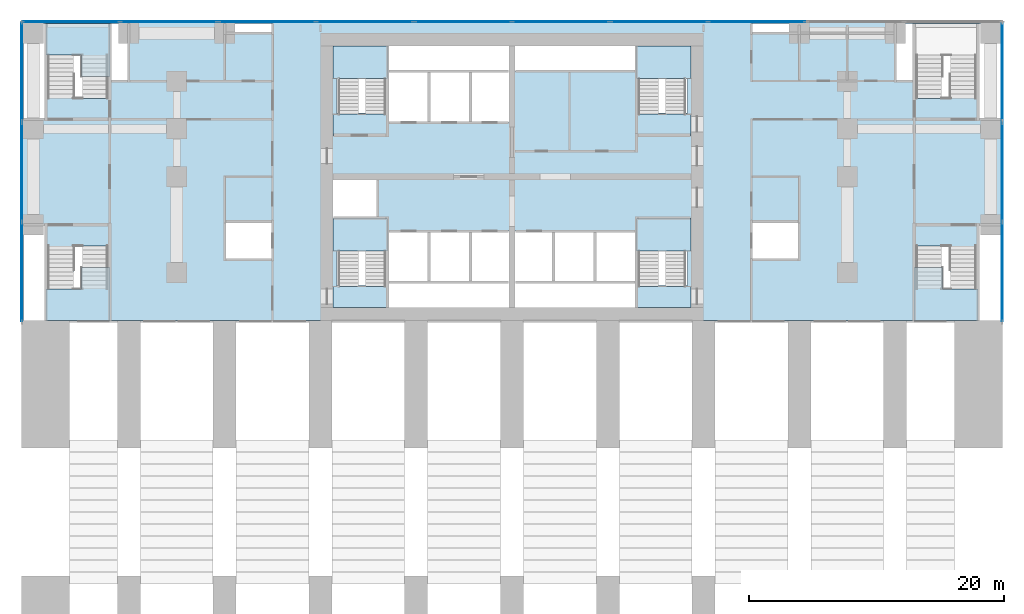
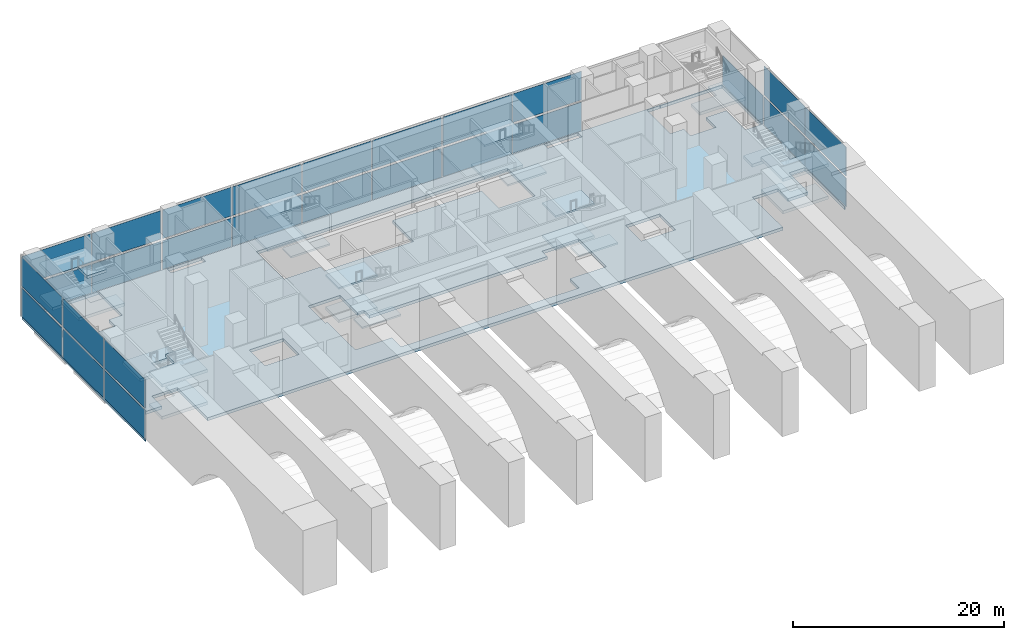
# One storey, part 4 of 15: 27 plates, 23 slabs, 23 elements without a shape of their own.
"""IFC4 building model written with IfcOpenShell, lengths in metres."""

import ifcopenshell
import ifcopenshell.guid

model = None  # the IFC model being written
_history = None  # IfcOwnerHistory: only IFC2X3 demands one
_inside = {}  # id of a spatial element -> (the spatial element, [elements in it])
_under = {}  # id of a project, library or spatial element -> (it, [spatial elements below it])
_declared = {}  # id of a project -> (the project, [libraries it declares])
_typed = {}  # id of a type object -> (the type object, [elements of that type])
_made_of = {}  # id of a material, layer set ... -> (it, [elements and type objects made of it])


def new_model(schema):
    """Start an empty IFC model of exactly this schema.

    Asked for "IFC4X3", IfcOpenShell would pick the latest addendum, in which some entities
    have other attributes; the version numbers below select the first issue.
    IFC2X3 requires an IfcOwnerHistory on every rooted entity: one is made here for all.
    """
    global model, _history
    if schema == "IFC4X3":
        model = ifcopenshell.file(schema_version=(4, 3, 0, 0))
    else:
        model = ifcopenshell.file(schema=schema)
    _inside.clear()
    _under.clear()
    _declared.clear()
    _typed.clear()
    _made_of.clear()
    _history = None
    if model.schema == "IFC2X3":
        org = make("IfcOrganization", Name="unknown")
        user = make(
            "IfcPersonAndOrganization",
            ThePerson=make("IfcPerson", FamilyName="unknown"),
            TheOrganization=org,
        )
        app = make(
            "IfcApplication",
            ApplicationDeveloper=org,
            Version="unknown",
            ApplicationFullName="unknown",
            ApplicationIdentifier="unknown",
        )
        _history = make(
            "IfcOwnerHistory",
            OwningUser=user,
            OwningApplication=app,
            ChangeAction="ADDED",
            CreationDate=0,
        )
    return model


def make(cls, **values):
    """One entity of the class cls with the attributes given. An attribute that is None is left unset."""
    return model.create_entity(
        cls, **{name: value for name, value in values.items() if value is not None}
    )


def rooted(cls, **values):
    """An entity with a GlobalId (a new one), such as an element, a storey or a relation."""
    return make(cls, GlobalId=ifcopenshell.guid.new(), OwnerHistory=_history, **values)


def si_unit(unit_type, name, prefix=None):
    """IfcSIUnit, for example si_unit("LENGTHUNIT", "METRE", prefix="MILLI")."""
    return make("IfcSIUnit", UnitType=unit_type, Prefix=prefix, Name=name)


def assignment(units):
    """IfcUnitAssignment: the units of a project."""
    return None if units is None else make("IfcUnitAssignment", Units=units)


def point(xyz):
    """IfcCartesianPoint."""
    return None if xyz is None else make("IfcCartesianPoint", Coordinates=xyz)


def direction(xyz):
    """IfcDirection."""
    return None if xyz is None else make("IfcDirection", DirectionRatios=xyz)


def frame(location, z_axis=None, x_axis=None):
    """IfcAxis2Placement3D, a coordinate frame: its origin and axes. An axis left out is left unset."""
    return make(
        "IfcAxis2Placement3D",
        Location=point(location),
        Axis=direction(z_axis),
        RefDirection=direction(x_axis),
    )


def frame_2d(location, x_axis=None):
    """IfcAxis2Placement2D, a coordinate frame in the plane: its origin and x axis."""
    return make(
        "IfcAxis2Placement2D", Location=point(location), RefDirection=direction(x_axis)
    )


def origin():
    """The frame at (0, 0, 0) with its axes left unset."""
    return frame((0.0, 0.0, 0.0))


def origin_2d():
    """The frame at (0, 0) in the plane with its x axis left unset."""
    return frame_2d((0.0, 0.0))


def place(relative_to, where):
    """IfcLocalPlacement: puts the frame where relative to a parent placement (None: the world)."""
    return make(
        "IfcLocalPlacement", PlacementRelTo=relative_to, RelativePlacement=where
    )


def context(
    kind, dimensions, precision=None, world=None, true_north=None, identifier=None
):
    """IfcGeometricRepresentationContext, for example the 3D "Model" context."""
    return make(
        "IfcGeometricRepresentationContext",
        ContextIdentifier=identifier,
        ContextType=kind,
        CoordinateSpaceDimension=dimensions,
        Precision=precision,
        WorldCoordinateSystem=world,
        TrueNorth=true_north,
    )


def subcontext(parent, identifier, kind, view, scale=None):
    """IfcGeometricRepresentationSubContext, for example "Body" below "Model"."""
    return make(
        "IfcGeometricRepresentationSubContext",
        ContextIdentifier=identifier,
        ContextType=kind,
        ParentContext=parent,
        TargetScale=scale,
        TargetView=view,
    )


def project(units=None, contexts=None):
    """IfcProject with its units and contexts."""
    return rooted(
        "IfcProject",
        Name="project",
        RepresentationContexts=contexts,
        UnitsInContext=assignment(units),
    )


def spatial(cls, under=None, at=None, **own):
    """A site, building, storey or space (cls), placed at a placement, below another one or the project."""
    s = rooted(cls, ObjectPlacement=at, **own)
    if under is not None:
        _under.setdefault(under.id(), (under, []))[1].append(s)
    return s


def polyline(points):
    """IfcPolyline through the points."""
    return make("IfcPolyline", Points=[point(p) for p in points])


def profile(cls, at=None, kind="AREA", **sizes):
    """A parametric profile (cls). Its sizes go by their IFC names, for example OverallWidth=200.0."""
    return make(cls, ProfileType=kind, Position=at, **sizes)


def rectangle(**sizes):
    """IfcRectangleProfileDef."""
    return profile("IfcRectangleProfileDef", **sizes)


def outline(outer, holes=None, kind="AREA"):
    """IfcArbitraryClosedProfileDef: a profile drawn as a closed curve; with holes, ...WithVoids."""
    if holes is None:
        return make("IfcArbitraryClosedProfileDef", ProfileType=kind, OuterCurve=outer)
    return make(
        "IfcArbitraryProfileDefWithVoids",
        ProfileType=kind,
        OuterCurve=outer,
        InnerCurves=holes,
    )


def extrude(swept, where, along, depth):
    """IfcExtrudedAreaSolid: the profile swept, set in the frame where, extruded along a direction by depth."""
    return make(
        "IfcExtrudedAreaSolid",
        SweptArea=swept,
        Position=where,
        ExtrudedDirection=direction(along),
        Depth=depth,
    )


def shape(context_of_items, identifier, shape_type, items):
    """IfcShapeRepresentation: the items that make up one representation, for example the "Body"."""
    return make(
        "IfcShapeRepresentation",
        ContextOfItems=context_of_items,
        RepresentationIdentifier=identifier,
        RepresentationType=shape_type,
        Items=items,
    )


def material(Name=None, Category=None):
    """IfcMaterial."""
    return make("IfcMaterial", Name=Name, Category=Category)


def layer(
    of_material, thickness, ventilated=None, Name=None, Category=None, Priority=None
):
    """IfcMaterialLayer: one layer of a wall or slab, of a material (None: an air gap)."""
    return make(
        "IfcMaterialLayer",
        Material=of_material,
        LayerThickness=thickness,
        IsVentilated=ventilated,
        Name=Name,
        Category=Category,
        Priority=Priority,
    )


def layer_set(layers, Name=None):
    """IfcMaterialLayerSet."""
    return make("IfcMaterialLayerSet", MaterialLayers=layers, LayerSetName=Name)


def made_of(thing, what):
    """Note that an element or type object is made of a material, layer set ...; save() writes the relation."""
    if what is not None:
        _made_of.setdefault(what.id(), (what, []))[1].append(thing)
    return thing


def type_object(cls, material=None, **own):
    """A type object (cls), such as IfcWallType, which elements share."""
    return made_of(rooted(cls, **own), material)


def element(
    cls,
    number,
    at=None,
    inside=None,
    cuts=None,
    type_object=None,
    material=None,
    context=None,
    identifier="Body",
    shape_type=None,
    held_by="IfcProductDefinitionShape",
    body=None,
    shapes=None,
    **own,
):
    """One element of the class cls, such as IfcWall. Its Tag is "e" and its number.

    at: its placement. inside: the storey or other place that contains it. cuts: it is an
    opening in that element (IfcRelVoidsElement). A single representation is given by context,
    identifier, shape_type and body (its items); several are given by shapes. held_by: the class
    of the entity that holds the representations. save() writes the other relations.
    """
    e = rooted(cls, Tag="e%d" % number, ObjectPlacement=at, **own)
    if body is not None:
        shapes = [shape(context, identifier, shape_type, body)]
    if shapes is not None:
        e.Representation = make(held_by, Representations=shapes)
    if inside is not None:
        _inside.setdefault(inside.id(), (inside, []))[1].append(e)
    if cuts is not None:
        rooted(
            "IfcRelVoidsElement", RelatingBuildingElement=cuts, RelatedOpeningElement=e
        )
    if type_object is not None:
        _typed.setdefault(type_object.id(), (type_object, []))[1].append(e)
    return made_of(e, material)


def aggregate(whole, parts):
    """IfcRelAggregates: a whole, such as a stair, and the parts it consists of."""
    return rooted("IfcRelAggregates", RelatingObject=whole, RelatedObjects=parts)


def save(model, path):
    """Write the relations noted so far, then the file.

    IfcRelAggregates (storeys below a building ...), IfcRelContainedInSpatialStructure (elements
    in a storey), IfcRelDefinesByType, IfcRelAssociatesMaterial and IfcRelDeclares: one each for
    every whole, place, type object, material and project.
    """
    for whole, parts in _under.values():
        aggregate(whole, parts)
    for where, things in _inside.values():
        rooted(
            "IfcRelContainedInSpatialStructure",
            RelatedElements=things,
            RelatingStructure=where,
        )
    for kind, things in _typed.values():
        rooted("IfcRelDefinesByType", RelatedObjects=things, RelatingType=kind)
    for what, things in _made_of.values():
        rooted("IfcRelAssociatesMaterial", RelatedObjects=things, RelatingMaterial=what)
    for by, libraries in _declared.values():
        rooted("IfcRelDeclares", RelatingContext=by, RelatedDefinitions=libraries)
    model.write(path)


model = new_model("IFC4")

# Units and contexts
model_context = context("Model", 3, precision=1e-05, world=origin(), true_north=direction((0.0, 1.0)))
body_context = subcontext(model_context, "Body", "Model", "MODEL_VIEW")
ifc_project = project(units=[si_unit("LENGTHUNIT", "METRE"), si_unit("AREAUNIT", "SQUARE_METRE"), si_unit("VOLUMEUNIT", "CUBIC_METRE"), si_unit("PLANEANGLEUNIT", "RADIAN"), si_unit("MASSUNIT", "GRAM", prefix="KILO")], contexts=[model_context])

# Site, building, storey
site_placement = place(None, origin())
site = spatial("IfcSite", under=ifc_project, at=site_placement, CompositionType="ELEMENT")
building_placement = place(site_placement, origin())
building = spatial("IfcBuilding", under=site, at=building_placement, Name="Pilkhan Gate Tower", CompositionType="ELEMENT")
storey_placement = place(building_placement, frame((0.0, 0.0, 16.5)))
storey = spatial("IfcBuildingStorey", under=building, at=storey_placement, Name="L02", CompositionType="ELEMENT", Elevation=16.5)

# Slab
ifc_material_1 = material(Name="Concrete C40/50", Category="concrete")
ifc_layer_1 = layer(ifc_material_1, 0.35009765625)
ifc_layer_set_1 = layer_set([ifc_layer_1], Name="Flat plate slab FP350")
slab_type_1 = type_object("IfcSlabType", Name="Flat plate slab FP350", PredefinedType="FLOOR", material=ifc_layer_set_1)
slab_1_placement = place(storey_placement, frame((0.0, 0.0, -0.35009765625)))
element("IfcSlab", 1, at=slab_1_placement, inside=storey, type_object=slab_type_1, Name="Floor slab L02", PredefinedType="FLOOR", context=body_context, shape_type="SweptSolid", body=[
    extrude(outline(polyline([(36.64990234375, 94.60009765625), (113.35009765625, 94.60009765625), (113.35009765625, 71.25), (113.264892578125, 71.25), (113.264892578125, 78.75), (111.5, 78.75), (111.5, 75.10009765625), (109.300048828125, 75.10009765625), (109.300048828125, 77.0), (106.5, 77.0), (106.5, 71.25), (43.5, 71.25), (43.5, 77.0), (40.699951171875, 77.0), (40.699951171875, 75.10009765625), (38.5, 75.10009765625), (38.5, 78.75), (36.735107421875, 78.75), (36.735107421875, 71.25), (36.64990234375, 71.25), (36.64990234375, 94.60009765625)]), holes=[polyline([(109.300048828125, 94.5), (106.5, 94.5), (106.5, 94.514892578125), (105.0, 94.514892578125), (105.0, 90.0), (106.5, 90.0), (106.5, 88.75), (109.300048828125, 88.75), (109.300048828125, 90.64990234375), (111.5, 90.64990234375), (111.5, 87.0), (113.264892578125, 87.0), (113.264892578125, 94.5), (111.5, 94.5), (109.300048828125, 94.5)]), polyline([(97.5, 79.0), (93.75, 79.0), (93.75, 76.0), (97.5, 76.0), (97.5, 79.0)]), polyline([(71.75, 86.75), (75.0, 86.75), (75.0, 90.75), (84.75, 90.75), (84.75, 87.5), (88.75, 87.5), (88.75, 92.75), (84.75, 92.75), (75.0, 92.75), (65.25, 92.75), (61.25, 92.75), (61.25, 87.5), (65.25, 87.5), (65.25, 86.75), (68.5, 86.75), (71.75, 86.75)]), polyline([(84.75, 72.25), (84.75, 74.0), (88.75, 74.0), (88.75, 79.25), (84.75, 79.25), (84.75, 78.25), (81.5, 78.25), (78.25, 78.25), (75.0, 78.25), (71.75, 78.25), (68.5, 78.25), (65.25, 78.25), (65.25, 79.25), (64.5, 79.25), (64.5, 82.5), (61.25, 82.5), (61.0, 82.5), (61.0, 79.25), (61.25, 79.25), (61.25, 74.0), (65.25, 74.0), (65.25, 72.25), (75.0, 72.25), (84.75, 72.25)]), polyline([(56.25, 79.0), (52.5, 79.0), (52.5, 76.0), (56.25, 76.0), (56.25, 79.0)]), polyline([(40.699951171875, 90.64990234375), (40.699951171875, 88.75), (43.5, 88.75), (43.5, 90.0), (45.0, 90.0), (45.0, 94.514892578125), (43.5, 94.514892578125), (43.5, 94.5), (40.699951171875, 94.5), (38.5, 94.5), (36.735107421875, 94.5), (36.735107421875, 87.0), (38.5, 87.0), (38.5, 90.64990234375), (40.699951171875, 90.64990234375)]), polyline([(52.5, 93.75), (56.25, 93.75), (56.25, 94.514892578125), (52.5, 94.514892578125), (52.5, 93.75)]), polyline([(93.75, 93.75), (97.5, 93.75), (97.5, 94.514892578125), (93.75, 94.514892578125), (93.75, 93.75)])]), origin(), (0.0, 0.0, 1.0), 0.35009765625),
])

# Curtain wall, plates
ifc_material_2 = material(Name="Pale anodised aluminium, clear low-iron laminated glazing", Category="aluminium")
curtain_wall_type = type_object("IfcCurtainWallType", Name="Podium unitised curtain wall CW-P", PredefinedType="USERDEFINED", material=ifc_material_2)
curtain_wall_1_placement = place(storey_placement, origin())
curtain_wall_1 = element("IfcCurtainWall", 2, at=curtain_wall_1_placement, inside=storey, type_object=curtain_wall_type, Name="Podium unitised curtain wall CW-P L02 E", ObjectType="UNITISED CURTAIN WALL", PredefinedType="USERDEFINED")
ifc_material_3 = material(Name="Clear low-iron laminated glazing", Category="glass")
ifc_layer_2 = layer(ifc_material_3, 0.048095703125)
ifc_layer_set_2 = layer_set([ifc_layer_2], Name="Glass panel CW-P 48")
plate_type = type_object("IfcPlateType", Name="Glass panel CW-P 48", PredefinedType="CURTAIN_PANEL", material=ifc_layer_set_2)
plate_1_placement = place(storey_placement, frame((113.39501953125, 75.04833984375, 0.0), z_axis=(0.0, 0.0, 1.0), x_axis=(0.0, 1.0, 0.0)))
plate_1 = element("IfcPlate", 3, at=plate_1_placement, type_object=plate_type, Name="CW-P panel 1", PredefinedType="CURTAIN_PANEL", context=body_context, shape_type="SweptSolid", body=[
    extrude(rectangle(XDim=7.7265625, YDim=0.048095703125, at=origin_2d()), origin(), (0.0, 0.0, 1.0), 3.324951171875),
])
plate_2_placement = place(storey_placement, frame((113.39501953125, 82.85498046875, 0.0), z_axis=(0.0, 0.0, 1.0), x_axis=(0.0, 1.0, 0.0)))
plate_2 = element("IfcPlate", 4, at=plate_2_placement, type_object=plate_type, Name="CW-P panel 2", PredefinedType="CURTAIN_PANEL", context=body_context, shape_type="SweptSolid", body=[
    extrude(rectangle(XDim=7.7265625, YDim=0.048095703125, at=origin_2d()), origin(), (0.0, 0.0, 1.0), 3.324951171875),
])
aggregate(curtain_wall_1, [plate_1, plate_2])

# Curtain wall, plate
curtain_wall_2_placement = place(storey_placement, origin())
curtain_wall_2 = element("IfcCurtainWall", 5, at=curtain_wall_2_placement, inside=storey, type_object=curtain_wall_type, Name="Podium unitised curtain wall CW-P L02 E", ObjectType="UNITISED CURTAIN WALL", PredefinedType="USERDEFINED")
plate_3_placement = place(storey_placement, frame((113.39501953125, 90.7216796875, 0.0), z_axis=(0.0, 0.0, 1.0), x_axis=(0.0, 1.0, 0.0)))
plate_3 = element("IfcPlate", 6, at=plate_3_placement, type_object=plate_type, Name="CW-P panel 1", PredefinedType="CURTAIN_PANEL", context=body_context, shape_type="SweptSolid", body=[
    extrude(rectangle(XDim=7.686767578125, YDim=0.048095703125, at=origin_2d()), origin(), (0.0, 0.0, 1.0), 3.324951171875),
])
aggregate(curtain_wall_2, [plate_3])

# Curtain wall, plates
curtain_wall_3_placement = place(storey_placement, origin())
curtain_wall_3 = element("IfcCurtainWall", 7, at=curtain_wall_3_placement, inside=storey, type_object=curtain_wall_type, Name="Podium unitised curtain wall CW-P L02 E", ObjectType="UNITISED CURTAIN WALL", PredefinedType="USERDEFINED")
plate_4_placement = place(storey_placement, frame((113.39501953125, 75.04833984375, 3.5751953125), z_axis=(0.0, 0.0, 1.0), x_axis=(0.0, 1.0, 0.0)))
plate_4 = element("IfcPlate", 8, at=plate_4_placement, type_object=plate_type, Name="CW-P panel 1", PredefinedType="CURTAIN_PANEL", context=body_context, shape_type="SweptSolid", body=[
    extrude(rectangle(XDim=7.7265625, YDim=0.048095703125, at=origin_2d()), origin(), (0.0, 0.0, 1.0), 3.324951171875),
])
plate_5_placement = place(storey_placement, frame((113.39501953125, 82.85498046875, 3.5751953125), z_axis=(0.0, 0.0, 1.0), x_axis=(0.0, 1.0, 0.0)))
plate_5 = element("IfcPlate", 9, at=plate_5_placement, type_object=plate_type, Name="CW-P panel 2", PredefinedType="CURTAIN_PANEL", context=body_context, shape_type="SweptSolid", body=[
    extrude(rectangle(XDim=7.7265625, YDim=0.048095703125, at=origin_2d()), origin(), (0.0, 0.0, 1.0), 3.324951171875),
])
aggregate(curtain_wall_3, [plate_4, plate_5])

curtain_wall_4_placement = place(storey_placement, origin())
curtain_wall_4 = element("IfcCurtainWall", 10, at=curtain_wall_4_placement, inside=storey, type_object=curtain_wall_type, Name="Podium unitised curtain wall CW-P L02 N", ObjectType="UNITISED CURTAIN WALL", PredefinedType="USERDEFINED")
plate_6_placement = place(storey_placement, frame((40.464599609375, 94.64501953125, 0.0), z_axis=(0.0, 0.0, 1.0), x_axis=(1.0, 0.0, 0.0)))
plate_6 = element("IfcPlate", 11, at=plate_6_placement, type_object=plate_type, Name="CW-P panel 1", PredefinedType="CURTAIN_PANEL", context=body_context, shape_type="SweptSolid", body=[
    extrude(rectangle(XDim=7.55908203125, YDim=0.048095703125, at=origin_2d()), origin(), (0.0, 0.0, 1.0), 3.324951171875),
])
plate_7_placement = place(storey_placement, frame((48.103515625, 94.64501953125, 0.0), z_axis=(0.0, 0.0, 1.0), x_axis=(1.0, 0.0, 0.0)))
plate_7 = element("IfcPlate", 12, at=plate_7_placement, type_object=plate_type, Name="CW-P panel 2", PredefinedType="CURTAIN_PANEL", context=body_context, shape_type="SweptSolid", body=[
    extrude(rectangle(XDim=7.55908203125, YDim=0.048095703125, at=origin_2d()), origin(), (0.0, 0.0, 1.0), 3.324951171875),
])
aggregate(curtain_wall_4, [plate_6, plate_7])

curtain_wall_5_placement = place(storey_placement, origin())
curtain_wall_5 = element("IfcCurtainWall", 13, at=curtain_wall_5_placement, inside=storey, type_object=curtain_wall_type, Name="Podium unitised curtain wall CW-P L02 N", ObjectType="UNITISED CURTAIN WALL", PredefinedType="USERDEFINED")
plate_8_placement = place(storey_placement, frame((55.822509765625, 94.64501953125, 0.0), z_axis=(0.0, 0.0, 1.0), x_axis=(1.0, 0.0, 0.0)))
plate_8 = element("IfcPlate", 14, at=plate_8_placement, type_object=plate_type, Name="CW-P panel 1", PredefinedType="CURTAIN_PANEL", context=body_context, shape_type="SweptSolid", body=[
    extrude(rectangle(XDim=7.55908203125, YDim=0.048095703125, at=origin_2d()), origin(), (0.0, 0.0, 1.0), 3.324951171875),
])
plate_9_placement = place(storey_placement, frame((63.46142578125, 94.64501953125, 0.0), z_axis=(0.0, 0.0, 1.0), x_axis=(1.0, 0.0, 0.0)))
plate_9 = element("IfcPlate", 15, at=plate_9_placement, type_object=plate_type, Name="CW-P panel 2", PredefinedType="CURTAIN_PANEL", context=body_context, shape_type="SweptSolid", body=[
    extrude(rectangle(XDim=7.55908203125, YDim=0.048095703125, at=origin_2d()), origin(), (0.0, 0.0, 1.0), 3.324951171875),
])
aggregate(curtain_wall_5, [plate_8, plate_9])

curtain_wall_6_placement = place(storey_placement, origin())
curtain_wall_6 = element("IfcCurtainWall", 16, at=curtain_wall_6_placement, inside=storey, type_object=curtain_wall_type, Name="Podium unitised curtain wall CW-P L02 N", ObjectType="UNITISED CURTAIN WALL", PredefinedType="USERDEFINED")
plate_10_placement = place(storey_placement, frame((71.180419921875, 94.64501953125, 0.0), z_axis=(0.0, 0.0, 1.0), x_axis=(1.0, 0.0, 0.0)))
plate_10 = element("IfcPlate", 17, at=plate_10_placement, type_object=plate_type, Name="CW-P panel 1", PredefinedType="CURTAIN_PANEL", context=body_context, shape_type="SweptSolid", body=[
    extrude(rectangle(XDim=7.55908203125, YDim=0.048095703125, at=origin_2d()), origin(), (0.0, 0.0, 1.0), 3.324951171875),
])
plate_11_placement = place(storey_placement, frame((78.819580078125, 94.64501953125, 0.0), z_axis=(0.0, 0.0, 1.0), x_axis=(1.0, 0.0, 0.0)))
plate_11 = element("IfcPlate", 18, at=plate_11_placement, type_object=plate_type, Name="CW-P panel 2", PredefinedType="CURTAIN_PANEL", context=body_context, shape_type="SweptSolid", body=[
    extrude(rectangle(XDim=7.55908203125, YDim=0.048095703125, at=origin_2d()), origin(), (0.0, 0.0, 1.0), 3.324951171875),
])
aggregate(curtain_wall_6, [plate_10, plate_11])

curtain_wall_7_placement = place(storey_placement, origin())
curtain_wall_7 = element("IfcCurtainWall", 19, at=curtain_wall_7_placement, inside=storey, type_object=curtain_wall_type, Name="Podium unitised curtain wall CW-P L02 N", ObjectType="UNITISED CURTAIN WALL", PredefinedType="USERDEFINED")
plate_12_placement = place(storey_placement, frame((86.53857421875, 94.64501953125, 0.0), z_axis=(0.0, 0.0, 1.0), x_axis=(1.0, 0.0, 0.0)))
plate_12 = element("IfcPlate", 20, at=plate_12_placement, type_object=plate_type, Name="CW-P panel 1", PredefinedType="CURTAIN_PANEL", context=body_context, shape_type="SweptSolid", body=[
    extrude(rectangle(XDim=7.55908203125, YDim=0.048095703125, at=origin_2d()), origin(), (0.0, 0.0, 1.0), 3.324951171875),
])
plate_13_placement = place(storey_placement, frame((94.177490234375, 94.64501953125, 0.0), z_axis=(0.0, 0.0, 1.0), x_axis=(1.0, 0.0, 0.0)))
plate_13 = element("IfcPlate", 21, at=plate_13_placement, type_object=plate_type, Name="CW-P panel 2", PredefinedType="CURTAIN_PANEL", context=body_context, shape_type="SweptSolid", body=[
    extrude(rectangle(XDim=7.55908203125, YDim=0.048095703125, at=origin_2d()), origin(), (0.0, 0.0, 1.0), 3.324951171875),
])
aggregate(curtain_wall_7, [plate_12, plate_13])

curtain_wall_8_placement = place(storey_placement, origin())
curtain_wall_8 = element("IfcCurtainWall", 22, at=curtain_wall_8_placement, inside=storey, type_object=curtain_wall_type, Name="Podium unitised curtain wall CW-P L02 N", ObjectType="UNITISED CURTAIN WALL", PredefinedType="USERDEFINED")
plate_14_placement = place(storey_placement, frame((40.464599609375, 94.64501953125, 3.5751953125), z_axis=(0.0, 0.0, 1.0), x_axis=(1.0, 0.0, 0.0)))
plate_14 = element("IfcPlate", 23, at=plate_14_placement, type_object=plate_type, Name="CW-P panel 1", PredefinedType="CURTAIN_PANEL", context=body_context, shape_type="SweptSolid", body=[
    extrude(rectangle(XDim=7.55908203125, YDim=0.048095703125, at=origin_2d()), origin(), (0.0, 0.0, 1.0), 3.324951171875),
])
plate_15_placement = place(storey_placement, frame((48.103515625, 94.64501953125, 3.5751953125), z_axis=(0.0, 0.0, 1.0), x_axis=(1.0, 0.0, 0.0)))
plate_15 = element("IfcPlate", 24, at=plate_15_placement, type_object=plate_type, Name="CW-P panel 2", PredefinedType="CURTAIN_PANEL", context=body_context, shape_type="SweptSolid", body=[
    extrude(rectangle(XDim=7.55908203125, YDim=0.048095703125, at=origin_2d()), origin(), (0.0, 0.0, 1.0), 3.324951171875),
])
aggregate(curtain_wall_8, [plate_14, plate_15])

curtain_wall_9_placement = place(storey_placement, origin())
curtain_wall_9 = element("IfcCurtainWall", 25, at=curtain_wall_9_placement, inside=storey, type_object=curtain_wall_type, Name="Podium unitised curtain wall CW-P L02 N", ObjectType="UNITISED CURTAIN WALL", PredefinedType="USERDEFINED")
plate_16_placement = place(storey_placement, frame((55.822509765625, 94.64501953125, 3.5751953125), z_axis=(0.0, 0.0, 1.0), x_axis=(1.0, 0.0, 0.0)))
plate_16 = element("IfcPlate", 26, at=plate_16_placement, type_object=plate_type, Name="CW-P panel 1", PredefinedType="CURTAIN_PANEL", context=body_context, shape_type="SweptSolid", body=[
    extrude(rectangle(XDim=7.55908203125, YDim=0.048095703125, at=origin_2d()), origin(), (0.0, 0.0, 1.0), 3.324951171875),
])
plate_17_placement = place(storey_placement, frame((63.46142578125, 94.64501953125, 3.5751953125), z_axis=(0.0, 0.0, 1.0), x_axis=(1.0, 0.0, 0.0)))
plate_17 = element("IfcPlate", 27, at=plate_17_placement, type_object=plate_type, Name="CW-P panel 2", PredefinedType="CURTAIN_PANEL", context=body_context, shape_type="SweptSolid", body=[
    extrude(rectangle(XDim=7.55908203125, YDim=0.048095703125, at=origin_2d()), origin(), (0.0, 0.0, 1.0), 3.324951171875),
])
aggregate(curtain_wall_9, [plate_16, plate_17])

curtain_wall_10_placement = place(storey_placement, origin())
curtain_wall_10 = element("IfcCurtainWall", 28, at=curtain_wall_10_placement, inside=storey, type_object=curtain_wall_type, Name="Podium unitised curtain wall CW-P L02 N", ObjectType="UNITISED CURTAIN WALL", PredefinedType="USERDEFINED")
plate_18_placement = place(storey_placement, frame((71.180419921875, 94.64501953125, 3.5751953125), z_axis=(0.0, 0.0, 1.0), x_axis=(1.0, 0.0, 0.0)))
plate_18 = element("IfcPlate", 29, at=plate_18_placement, type_object=plate_type, Name="CW-P panel 1", PredefinedType="CURTAIN_PANEL", context=body_context, shape_type="SweptSolid", body=[
    extrude(rectangle(XDim=7.55908203125, YDim=0.048095703125, at=origin_2d()), origin(), (0.0, 0.0, 1.0), 3.324951171875),
])
plate_19_placement = place(storey_placement, frame((78.819580078125, 94.64501953125, 3.5751953125), z_axis=(0.0, 0.0, 1.0), x_axis=(1.0, 0.0, 0.0)))
plate_19 = element("IfcPlate", 30, at=plate_19_placement, type_object=plate_type, Name="CW-P panel 2", PredefinedType="CURTAIN_PANEL", context=body_context, shape_type="SweptSolid", body=[
    extrude(rectangle(XDim=7.55908203125, YDim=0.048095703125, at=origin_2d()), origin(), (0.0, 0.0, 1.0), 3.324951171875),
])
aggregate(curtain_wall_10, [plate_18, plate_19])

curtain_wall_11_placement = place(storey_placement, origin())
curtain_wall_11 = element("IfcCurtainWall", 31, at=curtain_wall_11_placement, inside=storey, type_object=curtain_wall_type, Name="Podium unitised curtain wall CW-P L02 N", ObjectType="UNITISED CURTAIN WALL", PredefinedType="USERDEFINED")
plate_20_placement = place(storey_placement, frame((86.53857421875, 94.64501953125, 3.5751953125), z_axis=(0.0, 0.0, 1.0), x_axis=(1.0, 0.0, 0.0)))
plate_20 = element("IfcPlate", 32, at=plate_20_placement, type_object=plate_type, Name="CW-P panel 1", PredefinedType="CURTAIN_PANEL", context=body_context, shape_type="SweptSolid", body=[
    extrude(rectangle(XDim=7.55908203125, YDim=0.048095703125, at=origin_2d()), origin(), (0.0, 0.0, 1.0), 3.324951171875),
])
plate_21_placement = place(storey_placement, frame((94.177490234375, 94.64501953125, 3.5751953125), z_axis=(0.0, 0.0, 1.0), x_axis=(1.0, 0.0, 0.0)))
plate_21 = element("IfcPlate", 33, at=plate_21_placement, type_object=plate_type, Name="CW-P panel 2", PredefinedType="CURTAIN_PANEL", context=body_context, shape_type="SweptSolid", body=[
    extrude(rectangle(XDim=7.55908203125, YDim=0.048095703125, at=origin_2d()), origin(), (0.0, 0.0, 1.0), 3.324951171875),
])
aggregate(curtain_wall_11, [plate_20, plate_21])

curtain_wall_12_placement = place(storey_placement, origin())
curtain_wall_12 = element("IfcCurtainWall", 34, at=curtain_wall_12_placement, inside=storey, type_object=curtain_wall_type, Name="Podium unitised curtain wall CW-P L02 W", ObjectType="UNITISED CURTAIN WALL", PredefinedType="USERDEFINED")
plate_22_placement = place(storey_placement, frame((36.60498046875, 75.04833984375, 0.0), z_axis=(0.0, 0.0, 1.0), x_axis=(0.0, 1.0, 0.0)))
plate_22 = element("IfcPlate", 35, at=plate_22_placement, type_object=plate_type, Name="CW-P panel 1", PredefinedType="CURTAIN_PANEL", context=body_context, shape_type="SweptSolid", body=[
    extrude(rectangle(XDim=7.7265625, YDim=0.048095703125, at=origin_2d()), origin(), (0.0, 0.0, 1.0), 3.324951171875),
])
plate_23_placement = place(storey_placement, frame((36.60498046875, 82.85498046875, 0.0), z_axis=(0.0, 0.0, 1.0), x_axis=(0.0, 1.0, 0.0)))
plate_23 = element("IfcPlate", 36, at=plate_23_placement, type_object=plate_type, Name="CW-P panel 2", PredefinedType="CURTAIN_PANEL", context=body_context, shape_type="SweptSolid", body=[
    extrude(rectangle(XDim=7.7265625, YDim=0.048095703125, at=origin_2d()), origin(), (0.0, 0.0, 1.0), 3.324951171875),
])
aggregate(curtain_wall_12, [plate_22, plate_23])

# Curtain wall, plate
curtain_wall_13_placement = place(storey_placement, origin())
curtain_wall_13 = element("IfcCurtainWall", 37, at=curtain_wall_13_placement, inside=storey, type_object=curtain_wall_type, Name="Podium unitised curtain wall CW-P L02 W", ObjectType="UNITISED CURTAIN WALL", PredefinedType="USERDEFINED")
plate_24_placement = place(storey_placement, frame((36.60498046875, 90.7216796875, 0.0), z_axis=(0.0, 0.0, 1.0), x_axis=(0.0, 1.0, 0.0)))
plate_24 = element("IfcPlate", 38, at=plate_24_placement, type_object=plate_type, Name="CW-P panel 1", PredefinedType="CURTAIN_PANEL", context=body_context, shape_type="SweptSolid", body=[
    extrude(rectangle(XDim=7.686767578125, YDim=0.048095703125, at=origin_2d()), origin(), (0.0, 0.0, 1.0), 3.324951171875),
])
aggregate(curtain_wall_13, [plate_24])

# Curtain wall, plates
curtain_wall_14_placement = place(storey_placement, origin())
curtain_wall_14 = element("IfcCurtainWall", 39, at=curtain_wall_14_placement, inside=storey, type_object=curtain_wall_type, Name="Podium unitised curtain wall CW-P L02 W", ObjectType="UNITISED CURTAIN WALL", PredefinedType="USERDEFINED")
plate_25_placement = place(storey_placement, frame((36.60498046875, 75.04833984375, 3.5751953125), z_axis=(0.0, 0.0, 1.0), x_axis=(0.0, 1.0, 0.0)))
plate_25 = element("IfcPlate", 40, at=plate_25_placement, type_object=plate_type, Name="CW-P panel 1", PredefinedType="CURTAIN_PANEL", context=body_context, shape_type="SweptSolid", body=[
    extrude(rectangle(XDim=7.7265625, YDim=0.048095703125, at=origin_2d()), origin(), (0.0, 0.0, 1.0), 3.324951171875),
])
plate_26_placement = place(storey_placement, frame((36.60498046875, 82.85498046875, 3.5751953125), z_axis=(0.0, 0.0, 1.0), x_axis=(0.0, 1.0, 0.0)))
plate_26 = element("IfcPlate", 41, at=plate_26_placement, type_object=plate_type, Name="CW-P panel 2", PredefinedType="CURTAIN_PANEL", context=body_context, shape_type="SweptSolid", body=[
    extrude(rectangle(XDim=7.7265625, YDim=0.048095703125, at=origin_2d()), origin(), (0.0, 0.0, 1.0), 3.324951171875),
])
aggregate(curtain_wall_14, [plate_25, plate_26])

# Curtain wall, plate
curtain_wall_15_placement = place(storey_placement, origin())
curtain_wall_15 = element("IfcCurtainWall", 42, at=curtain_wall_15_placement, inside=storey, type_object=curtain_wall_type, Name="Podium unitised curtain wall CW-P L02 W", ObjectType="UNITISED CURTAIN WALL", PredefinedType="USERDEFINED")
plate_27_placement = place(storey_placement, frame((36.60498046875, 90.7216796875, 3.5751953125), z_axis=(0.0, 0.0, 1.0), x_axis=(0.0, 1.0, 0.0)))
plate_27 = element("IfcPlate", 43, at=plate_27_placement, type_object=plate_type, Name="CW-P panel 1", PredefinedType="CURTAIN_PANEL", context=body_context, shape_type="SweptSolid", body=[
    extrude(rectangle(XDim=7.686767578125, YDim=0.048095703125, at=origin_2d()), origin(), (0.0, 0.0, 1.0), 3.324951171875),
])
aggregate(curtain_wall_15, [plate_27])

# Stair, slabs
ifc_material_4 = material(Name="Concrete C40/50 precast", Category="concrete")
stair_type_1 = type_object("IfcStairType", Name="Stair ST1 170x280", PredefinedType="HALF_TURN_STAIR", material=ifc_material_4)
stair_1_placement = place(storey_placement, origin())
stair_1 = element("IfcStair", 44, at=stair_1_placement, inside=storey, type_object=stair_type_1, Name="Stair ST1 L02", PredefinedType="HALF_TURN_STAIR")
ifc_layer_3 = layer(ifc_material_1, 0.199951171875)
ifc_layer_set_3 = layer_set([ifc_layer_3], Name="Stair landing SL200")
slab_type_2 = type_object("IfcSlabType", Name="Stair landing SL200", PredefinedType="LANDING", material=ifc_layer_set_3)
slab_2_placement = place(storey_placement, frame((0.0, 0.0, 1.574951171875)))
slab_2 = element("IfcSlab", 45, at=slab_2_placement, type_object=slab_type_2, Name="ST1 landing 1", PredefinedType="LANDING", context=body_context, shape_type="SweptSolid", body=[
    extrude(outline(polyline([(89.0, 76.699951171875), (89.0, 79.25), (84.75, 79.25), (84.75, 76.699951171875), (89.0, 76.699951171875)])), origin(), (0.0, 0.0, 1.0), 0.300048828125),
])
slab_3_placement = place(storey_placement, frame((0.0, 0.0, 3.550048828125)))
slab_3 = element("IfcSlab", 46, at=slab_3_placement, type_object=slab_type_2, Name="ST1 landing 2", PredefinedType="LANDING", context=body_context, shape_type="SweptSolid", body=[
    extrude(outline(polyline([(89.0, 72.25), (89.0, 73.89990234375), (84.75, 73.89990234375), (84.75, 72.25), (89.0, 72.25)])), origin(), (0.0, 0.0, 1.0), 0.199951171875),
])
slab_4_placement = place(storey_placement, frame((0.0, 0.0, 5.425048828125)))
slab_4 = element("IfcSlab", 47, at=slab_4_placement, type_object=slab_type_2, Name="ST1 landing 3", PredefinedType="LANDING", context=body_context, shape_type="SweptSolid", body=[
    extrude(outline(polyline([(89.0, 76.699951171875), (89.0, 79.25), (84.75, 79.25), (84.75, 76.699951171875), (89.0, 76.699951171875)])), origin(), (0.0, 0.0, 1.0), 0.199951171875),
])
aggregate(stair_1, [slab_2, slab_3, slab_4])

stair_type_2 = type_object("IfcStairType", Name="Stair ST2 170x280", PredefinedType="HALF_TURN_STAIR", material=ifc_material_4)
stair_2_placement = place(storey_placement, origin())
stair_2 = element("IfcStair", 48, at=stair_2_placement, inside=storey, type_object=stair_type_2, Name="Stair ST2 L02", PredefinedType="HALF_TURN_STAIR")
slab_5_placement = place(storey_placement, frame((0.0, 0.0, 1.574951171875)))
slab_5 = element("IfcSlab", 49, at=slab_5_placement, type_object=slab_type_2, Name="ST2 landing 1", PredefinedType="LANDING", context=body_context, shape_type="SweptSolid", body=[
    extrude(outline(polyline([(65.25, 76.699951171875), (65.25, 79.25), (61.0, 79.25), (61.0, 76.699951171875), (65.25, 76.699951171875)])), origin(), (0.0, 0.0, 1.0), 0.300048828125),
])
slab_6_placement = place(storey_placement, frame((0.0, 0.0, 3.550048828125)))
slab_6 = element("IfcSlab", 50, at=slab_6_placement, type_object=slab_type_2, Name="ST2 landing 2", PredefinedType="LANDING", context=body_context, shape_type="SweptSolid", body=[
    extrude(outline(polyline([(65.25, 72.25), (65.25, 73.89990234375), (61.0, 73.89990234375), (61.0, 72.25), (65.25, 72.25)])), origin(), (0.0, 0.0, 1.0), 0.199951171875),
])
slab_7_placement = place(storey_placement, frame((0.0, 0.0, 5.425048828125)))
slab_7 = element("IfcSlab", 51, at=slab_7_placement, type_object=slab_type_2, Name="ST2 landing 3", PredefinedType="LANDING", context=body_context, shape_type="SweptSolid", body=[
    extrude(outline(polyline([(65.25, 76.699951171875), (65.25, 79.25), (61.0, 79.25), (61.0, 76.699951171875), (65.25, 76.699951171875)])), origin(), (0.0, 0.0, 1.0), 0.199951171875),
])
aggregate(stair_2, [slab_5, slab_6, slab_7])

stair_type_3 = type_object("IfcStairType", Name="Stair ST3 170x280", PredefinedType="HALF_TURN_STAIR", material=ifc_material_4)
stair_3_placement = place(storey_placement, origin())
stair_3 = element("IfcStair", 52, at=stair_3_placement, inside=storey, type_object=stair_type_3, Name="Stair ST3 L02", PredefinedType="HALF_TURN_STAIR")
slab_8_placement = place(storey_placement, frame((0.0, 0.0, 1.574951171875)))
slab_8 = element("IfcSlab", 53, at=slab_8_placement, type_object=slab_type_2, Name="ST3 landing 1", PredefinedType="LANDING", context=body_context, shape_type="SweptSolid", body=[
    extrude(outline(polyline([(65.25, 90.199951171875), (65.25, 92.75), (61.0, 92.75), (61.0, 90.199951171875), (65.25, 90.199951171875)])), origin(), (0.0, 0.0, 1.0), 0.300048828125),
])
slab_9_placement = place(storey_placement, frame((0.0, 0.0, 3.550048828125)))
slab_9 = element("IfcSlab", 54, at=slab_9_placement, type_object=slab_type_2, Name="ST3 landing 2", PredefinedType="LANDING", context=body_context, shape_type="SweptSolid", body=[
    extrude(outline(polyline([(65.25, 85.75), (65.25, 87.39990234375), (61.0, 87.39990234375), (61.0, 85.75), (65.25, 85.75)])), origin(), (0.0, 0.0, 1.0), 0.199951171875),
])
slab_10_placement = place(storey_placement, frame((0.0, 0.0, 5.425048828125)))
slab_10 = element("IfcSlab", 55, at=slab_10_placement, type_object=slab_type_2, Name="ST3 landing 3", PredefinedType="LANDING", context=body_context, shape_type="SweptSolid", body=[
    extrude(outline(polyline([(65.25, 90.199951171875), (65.25, 92.75), (61.0, 92.75), (61.0, 90.199951171875), (65.25, 90.199951171875)])), origin(), (0.0, 0.0, 1.0), 0.199951171875),
])
aggregate(stair_3, [slab_8, slab_9, slab_10])

stair_type_4 = type_object("IfcStairType", Name="Stair ST4 170x280", PredefinedType="HALF_TURN_STAIR", material=ifc_material_4)
stair_4_placement = place(storey_placement, origin())
stair_4 = element("IfcStair", 56, at=stair_4_placement, inside=storey, type_object=stair_type_4, Name="Stair ST4 L02", PredefinedType="HALF_TURN_STAIR")
slab_11_placement = place(storey_placement, frame((0.0, 0.0, 1.574951171875)))
slab_11 = element("IfcSlab", 57, at=slab_11_placement, type_object=slab_type_2, Name="ST4 landing 1", PredefinedType="LANDING", context=body_context, shape_type="SweptSolid", body=[
    extrude(outline(polyline([(89.0, 90.199951171875), (89.0, 92.75), (84.75, 92.75), (84.75, 90.199951171875), (89.0, 90.199951171875)])), origin(), (0.0, 0.0, 1.0), 0.300048828125),
])
slab_12_placement = place(storey_placement, frame((0.0, 0.0, 3.550048828125)))
slab_12 = element("IfcSlab", 58, at=slab_12_placement, type_object=slab_type_2, Name="ST4 landing 2", PredefinedType="LANDING", context=body_context, shape_type="SweptSolid", body=[
    extrude(outline(polyline([(89.0, 85.75), (89.0, 87.39990234375), (84.75, 87.39990234375), (84.75, 85.75), (89.0, 85.75)])), origin(), (0.0, 0.0, 1.0), 0.199951171875),
])
slab_13_placement = place(storey_placement, frame((0.0, 0.0, 5.425048828125)))
slab_13 = element("IfcSlab", 59, at=slab_13_placement, type_object=slab_type_2, Name="ST4 landing 3", PredefinedType="LANDING", context=body_context, shape_type="SweptSolid", body=[
    extrude(outline(polyline([(89.0, 90.199951171875), (89.0, 92.75), (84.75, 92.75), (84.75, 90.199951171875), (89.0, 90.199951171875)])), origin(), (0.0, 0.0, 1.0), 0.199951171875),
])
aggregate(stair_4, [slab_11, slab_12, slab_13])

stair_type_5 = type_object("IfcStairType", Name="Stair PS1 170x340", PredefinedType="HALF_TURN_STAIR", material=ifc_material_4)
stair_5_placement = place(storey_placement, origin())
stair_5 = element("IfcStair", 60, at=stair_5_placement, inside=storey, type_object=stair_type_5, Name="Stair PS1 L02", PredefinedType="HALF_TURN_STAIR")
ifc_layer_4 = layer(ifc_material_1, 0.35009765625)
ifc_layer_set_4 = layer_set([ifc_layer_4], Name="Stair landing SL350")
slab_type_3 = type_object("IfcSlabType", Name="Stair landing SL350", PredefinedType="LANDING", material=ifc_layer_set_4)
slab_14_placement = place(storey_placement, frame((0.0, 0.0, 1.52490234375)))
slab_14 = element("IfcSlab", 61, at=slab_14_placement, type_object=slab_type_3, Name="PS1 landing 1", PredefinedType="LANDING", context=body_context, shape_type="SweptSolid", body=[
    extrude(outline(polyline([(43.5, 90.35009765625), (41.300048828125, 90.35009765625), (41.300048828125, 92.049560546875), (38.5, 92.049560546875), (38.5, 94.5), (43.5, 94.5), (43.5, 92.050048828125), (43.5, 92.049560546875), (43.5, 90.35009765625)])), origin(), (0.0, 0.0, 1.0), 0.35009765625),
])
slab_15_placement = place(storey_placement, frame((0.0, 0.0, 3.39990234375)))
slab_15 = element("IfcSlab", 62, at=slab_15_placement, type_object=slab_type_3, Name="PS1 landing 2", PredefinedType="LANDING", context=body_context, shape_type="SweptSolid", body=[
    extrude(outline(polyline([(43.5, 88.650390625), (43.5, 87.0), (38.5, 87.0), (38.5, 88.64990234375), (38.5, 88.650390625), (38.5, 90.35009765625), (40.699951171875, 90.35009765625), (40.699951171875, 88.650390625), (43.5, 88.650390625)])), origin(), (0.0, 0.0, 1.0), 0.35009765625),
])
slab_16_placement = place(storey_placement, frame((0.0, 0.0, 5.27490234375)))
slab_16 = element("IfcSlab", 63, at=slab_16_placement, type_object=slab_type_3, Name="PS1 landing 3", PredefinedType="LANDING", context=body_context, shape_type="SweptSolid", body=[
    extrude(outline(polyline([(43.5, 90.35009765625), (41.300048828125, 90.35009765625), (41.300048828125, 92.049560546875), (38.5, 92.049560546875), (38.5, 94.5), (43.5, 94.5), (43.5, 92.050048828125), (43.5, 92.049560546875), (43.5, 90.35009765625)])), origin(), (0.0, 0.0, 1.0), 0.35009765625),
])
aggregate(stair_5, [slab_14, slab_15, slab_16])

# Stair, slab
stair_type_6 = type_object("IfcStairType", Name="Stair PS2 170x340", PredefinedType="HALF_TURN_STAIR", material=ifc_material_4)
stair_6_placement = place(storey_placement, origin())
stair_6 = element("IfcStair", 64, at=stair_6_placement, inside=storey, type_object=stair_type_6, Name="Stair PS2 L02", PredefinedType="HALF_TURN_STAIR")
slab_17_placement = place(storey_placement, frame((0.0, 0.0, 3.39990234375)))
slab_17 = element("IfcSlab", 65, at=slab_17_placement, type_object=slab_type_3, Name="PS2 landing 2", PredefinedType="LANDING", context=body_context, shape_type="SweptSolid", body=[
    extrude(outline(polyline([(106.5, 88.650390625), (106.5, 87.0), (111.5, 87.0), (111.5, 88.64990234375), (111.5, 88.650390625), (111.5, 90.35009765625), (109.300048828125, 90.35009765625), (109.300048828125, 88.650390625), (106.5, 88.650390625)])), origin(), (0.0, 0.0, 1.0), 0.35009765625),
])
aggregate(stair_6, [slab_17])

# Stair, slabs
stair_type_7 = type_object("IfcStairType", Name="Stair PS3 170x340", PredefinedType="HALF_TURN_STAIR", material=ifc_material_4)
stair_7_placement = place(storey_placement, origin())
stair_7 = element("IfcStair", 66, at=stair_7_placement, inside=storey, type_object=stair_type_7, Name="Stair PS3 L02", PredefinedType="HALF_TURN_STAIR")
slab_18_placement = place(storey_placement, frame((0.0, 0.0, 1.52490234375)))
slab_18 = element("IfcSlab", 67, at=slab_18_placement, type_object=slab_type_3, Name="PS3 landing 1", PredefinedType="LANDING", context=body_context, shape_type="SweptSolid", body=[
    extrude(outline(polyline([(43.5, 75.39990234375), (41.300048828125, 75.39990234375), (41.300048828125, 73.700439453125), (38.5, 73.700439453125), (38.5, 71.25), (43.5, 71.25), (43.5, 73.699951171875), (43.5, 73.700439453125), (43.5, 75.39990234375)])), origin(), (0.0, 0.0, 1.0), 0.35009765625),
])
slab_19_placement = place(storey_placement, frame((0.0, 0.0, 3.39990234375)))
slab_19 = element("IfcSlab", 68, at=slab_19_placement, type_object=slab_type_3, Name="PS3 landing 2", PredefinedType="LANDING", context=body_context, shape_type="SweptSolid", body=[
    extrude(outline(polyline([(43.5, 77.099609375), (43.5, 78.75), (38.5, 78.75), (38.5, 77.10009765625), (38.5, 77.099609375), (38.5, 75.39990234375), (40.699951171875, 75.39990234375), (40.699951171875, 77.099609375), (43.5, 77.099609375)])), origin(), (0.0, 0.0, 1.0), 0.35009765625),
])
slab_20_placement = place(storey_placement, frame((0.0, 0.0, 5.27490234375)))
slab_20 = element("IfcSlab", 69, at=slab_20_placement, type_object=slab_type_3, Name="PS3 landing 3", PredefinedType="LANDING", context=body_context, shape_type="SweptSolid", body=[
    extrude(outline(polyline([(43.5, 75.39990234375), (41.300048828125, 75.39990234375), (41.300048828125, 73.700439453125), (38.5, 73.700439453125), (38.5, 71.25), (43.5, 71.25), (43.5, 73.699951171875), (43.5, 73.700439453125), (43.5, 75.39990234375)])), origin(), (0.0, 0.0, 1.0), 0.35009765625),
])
aggregate(stair_7, [slab_18, slab_19, slab_20])

stair_type_8 = type_object("IfcStairType", Name="Stair PS4 170x340", PredefinedType="HALF_TURN_STAIR", material=ifc_material_4)
stair_8_placement = place(storey_placement, origin())
stair_8 = element("IfcStair", 70, at=stair_8_placement, inside=storey, type_object=stair_type_8, Name="Stair PS4 L02", PredefinedType="HALF_TURN_STAIR")
slab_21_placement = place(storey_placement, frame((0.0, 0.0, 1.52490234375)))
slab_21 = element("IfcSlab", 71, at=slab_21_placement, type_object=slab_type_3, Name="PS4 landing 1", PredefinedType="LANDING", context=body_context, shape_type="SweptSolid", body=[
    extrude(outline(polyline([(106.5, 75.39990234375), (108.699951171875, 75.39990234375), (108.699951171875, 73.700439453125), (111.5, 73.700439453125), (111.5, 71.25), (106.5, 71.25), (106.5, 73.699951171875), (106.5, 73.700439453125), (106.5, 75.39990234375)])), origin(), (0.0, 0.0, 1.0), 0.35009765625),
])
slab_22_placement = place(storey_placement, frame((0.0, 0.0, 3.39990234375)))
slab_22 = element("IfcSlab", 72, at=slab_22_placement, type_object=slab_type_3, Name="PS4 landing 2", PredefinedType="LANDING", context=body_context, shape_type="SweptSolid", body=[
    extrude(outline(polyline([(106.5, 77.099609375), (106.5, 78.75), (111.5, 78.75), (111.5, 77.10009765625), (111.5, 77.099609375), (111.5, 75.39990234375), (109.300048828125, 75.39990234375), (109.300048828125, 77.099609375), (106.5, 77.099609375)])), origin(), (0.0, 0.0, 1.0), 0.35009765625),
])
slab_23_placement = place(storey_placement, frame((0.0, 0.0, 5.27490234375)))
slab_23 = element("IfcSlab", 73, at=slab_23_placement, type_object=slab_type_3, Name="PS4 landing 3", PredefinedType="LANDING", context=body_context, shape_type="SweptSolid", body=[
    extrude(outline(polyline([(106.5, 75.39990234375), (108.699951171875, 75.39990234375), (108.699951171875, 73.700439453125), (111.5, 73.700439453125), (111.5, 71.25), (106.5, 71.25), (106.5, 73.699951171875), (106.5, 73.700439453125), (106.5, 75.39990234375)])), origin(), (0.0, 0.0, 1.0), 0.35009765625),
])
aggregate(stair_8, [slab_21, slab_22, slab_23])

save(model, "model.ifc")
